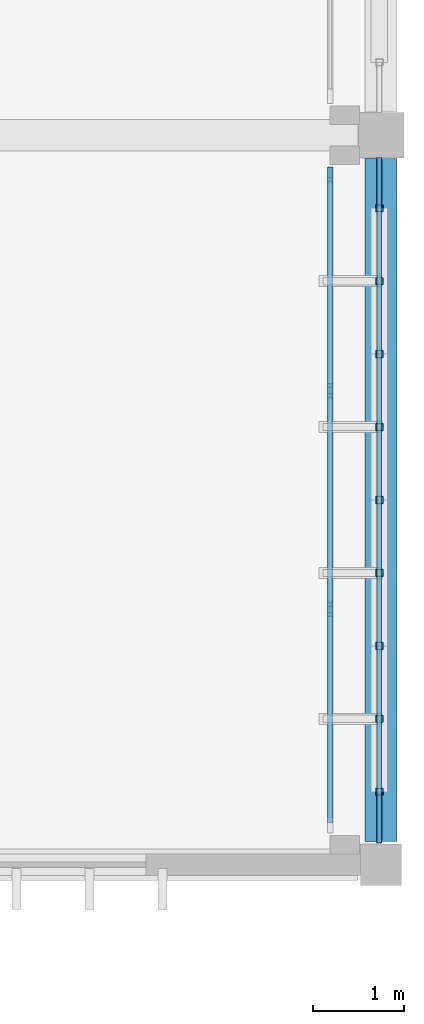
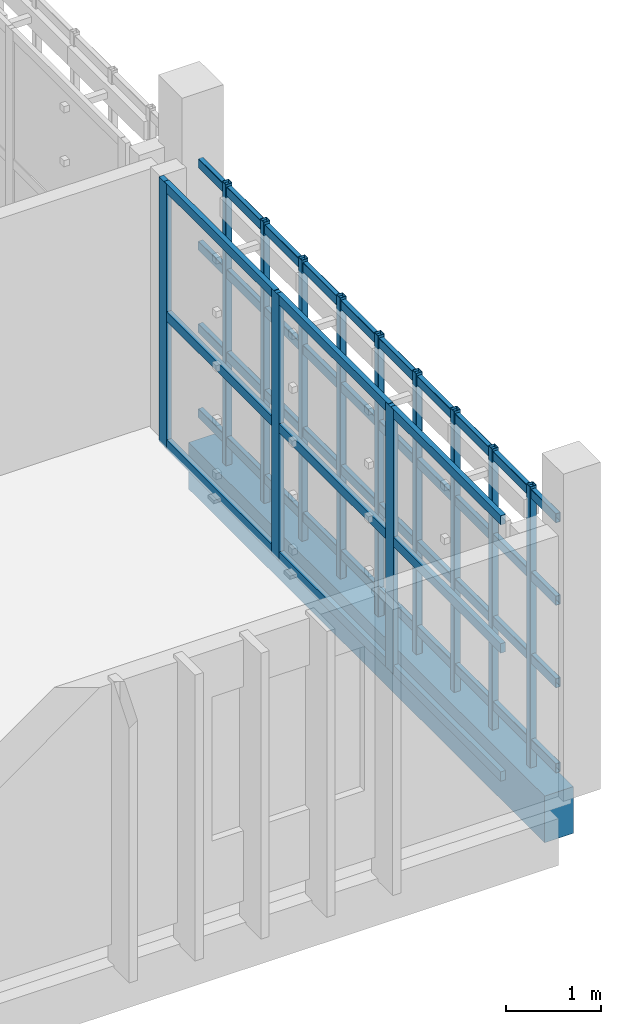
# One storey, part 20 of 48: 25 members, 1 beam, 1 element without a shape of its own.
"""IFC4 building model written with IfcOpenShell, lengths in metres."""

from ifc_helpers import new_model, si_unit, direction, frame, origin, origin_2d, place, context, subcontext, project, spatial, rectangle, hollow_rectangle, extrude, material, layer, layer_set, material_profile, profile_set, type_object, element, aggregate, save


model = new_model("IFC4")

# Units and contexts
model_context = context("Model", 3, precision=1e-05, world=origin(), true_north=direction((0.0, 1.0)))
body_context = subcontext(model_context, "Body", "Model", "MODEL_VIEW")
ifc_project = project(units=[si_unit("LENGTHUNIT", "METRE"), si_unit("AREAUNIT", "SQUARE_METRE"), si_unit("VOLUMEUNIT", "CUBIC_METRE"), si_unit("PLANEANGLEUNIT", "RADIAN"), si_unit("MASSUNIT", "GRAM", prefix="KILO")], contexts=[model_context])

# Site, building, storey
site_placement = place(None, origin())
site = spatial("IfcSite", under=ifc_project, at=site_placement, CompositionType="ELEMENT")
building_placement = place(site_placement, origin())
building = spatial("IfcBuilding", under=site, at=building_placement, Name="Jelvoka-Kovrelna Polytechnic", CompositionType="ELEMENT")
storey_placement = place(building_placement, frame((0.0, 0.0, 22.199951171875)))
storey = spatial("IfcBuildingStorey", under=building, at=storey_placement, Name="L06", CompositionType="ELEMENT", Elevation=22.199951171875)

# Beam
ifc_material_1 = material(Name="Concrete C35/45", Category="concrete")
ifc_material_profile_1 = material_profile(ifc_material_1, rectangle(XDim=0.35009765625, YDim=0.60009765625, at=origin_2d()), Name="RC 350x600")
ifc_profile_set_1 = profile_set([ifc_material_profile_1], Name="Concrete C35/45")
beam_type = type_object("IfcBeamType", Name="Beam_RC_350x600", PredefinedType="BEAM", material=ifc_profile_set_1)
beam_placement = place(storey_placement, frame((200.0, 32.2548828125, -0.5400390625), z_axis=(0.0, 1.0, 0.0), x_axis=(-1.0, 0.0, 0.0)))
element("IfcBeam", 1, at=beam_placement, inside=storey, type_object=beam_type, Name="L06 beam 1696", PredefinedType="BEAM", context=body_context, shape_type="SweptSolid", body=[
    extrude(rectangle(XDim=0.35009765625, YDim=0.60009765625, at=origin_2d()), origin(), (0.0, 0.0, 1.0), 7.490234375),
])

# Members
ifc_material_2 = material(Name="Structural steel S355J2H", Category="steel")
ifc_material_profile_2 = material_profile(ifc_material_2, hollow_rectangle(XDim=0.06005859375, YDim=0.1201171875, WallThickness=0.0048828125, InnerFilletRadius=0.0048828125, OuterFilletRadius=0.007568359375, at=origin_2d()), Name="120x60x5.0 RHS")
ifc_profile_set_2 = profile_set([ifc_material_profile_2], Name="Structural steel S355J2H")
member_type_1 = type_object("IfcMemberType", Name="Member_Strut_RHS120", PredefinedType="STRUT", material=ifc_profile_set_2)
for number, where, z_axis, x_axis, name in (
    (2, (199.97998046875, 32.239990234375, 0.080078125), (0.0, 1.0, 0.0), (-1.0, 0.0, 0.0), "L06 terracotta screen horizontal strut 0560"),
    (3, (199.97998046875, 32.239990234375, 1.17138671875), (0.0, 1.0, 0.0), (-1.0, 0.0, 0.0), "L06 terracotta screen horizontal strut 0561"),
    (4, (199.97998046875, 32.239990234375, 2.230712890625), (0.0, 1.0, 0.0), (-1.0, 0.0, 0.0), "L06 terracotta screen horizontal strut 0562"),
    (5, (199.97998046875, 32.239990234375, 3.2900390625), (0.0, 1.0, 0.0), (-1.0, 0.0, 0.0), "L06 terracotta screen horizontal strut 0563"),
):
    element("IfcMember", number, at=place(storey_placement, frame(where, z_axis=z_axis, x_axis=x_axis)), inside=storey, type_object=member_type_1, Name=name, PredefinedType="STRUT", context=body_context, shape_type="SweptSolid", body=[
        extrude(hollow_rectangle(XDim=0.06005859375, YDim=0.1201171875, WallThickness=0.0048828125, InnerFilletRadius=0.0048828125, OuterFilletRadius=0.007568359375, at=origin_2d()), origin(), (0.0, 0.0, 1.0), 7.52001953125),
    ])
ifc_material_3 = material(Name="Structural steel S355J2H", Category="steel")
ifc_material_profile_3 = material_profile(ifc_material_3, hollow_rectangle(XDim=0.080078125, YDim=0.080078125, WallThickness=0.0048828125, InnerFilletRadius=0.0048828125, OuterFilletRadius=0.007568359375, at=origin_2d()), Name="80x80x5.0 SHS")
ifc_profile_set_3 = profile_set([ifc_material_profile_3], Name="Structural steel S355J2H")
member_type_2 = type_object("IfcMemberType", Name="Member_Strut_SHS80", PredefinedType="STRUT", material=ifc_profile_set_3)
for number, where, z_axis, x_axis, name in (
    (6, (199.97998046875, 32.800048828125, -0.22998046875), (0.0, 0.0, 1.0), (1.0, 0.0, 0.0), "L06 terracotta lattice vertical rib 0564"),
    (7, (199.97998046875, 33.60009765625, -0.22998046875), (0.0, 0.0, 1.0), (1.0, 0.0, 0.0), "L06 terracotta lattice vertical rib 0565"),
    (8, (199.97998046875, 34.39990234375, -0.22998046875), (0.0, 0.0, 1.0), (1.0, 0.0, 0.0), "L06 terracotta lattice vertical rib 0566"),
    (9, (199.97998046875, 35.199951171875, -0.22998046875), (0.0, 0.0, 1.0), (1.0, 0.0, 0.0), "L06 terracotta lattice vertical rib 0567"),
    (10, (199.97998046875, 36.0, -0.22998046875), (0.0, 0.0, 1.0), (1.0, 0.0, 0.0), "L06 terracotta lattice vertical rib 0568"),
    (11, (199.97998046875, 36.800048828125, -0.22998046875), (0.0, 0.0, 1.0), (1.0, 0.0, 0.0), "L06 terracotta lattice vertical rib 0569"),
    (12, (199.97998046875, 37.60009765625, -0.22998046875), (0.0, 0.0, 1.0), (1.0, 0.0, 0.0), "L06 terracotta lattice vertical rib 0570"),
    (13, (199.97998046875, 38.39990234375, -0.22998046875), (0.0, 0.0, 1.0), (1.0, 0.0, 0.0), "L06 terracotta lattice vertical rib 0571"),
    (14, (199.97998046875, 39.199951171875, -0.22998046875), (0.0, 0.0, 1.0), (1.0, 0.0, 0.0), "L06 terracotta lattice vertical rib 0572"),
):
    element("IfcMember", number, at=place(storey_placement, frame(where, z_axis=z_axis, x_axis=x_axis)), inside=storey, type_object=member_type_2, Name=name, PredefinedType="STRUT", context=body_context, shape_type="SweptSolid", body=[
        extrude(hollow_rectangle(XDim=0.080078125, YDim=0.080078125, WallThickness=0.0048828125, InnerFilletRadius=0.0048828125, OuterFilletRadius=0.007568359375, at=origin_2d()), origin(), (0.0, 0.0, 1.0), 3.610107421875),
    ])

# Curtain wall, members
ifc_material_4 = material(Name="Anodised aluminium 6063-T6", Category="aluminium")
ifc_layer = layer(ifc_material_4, 0.159912109375)
ifc_layer_set = layer_set([ifc_layer], Name="Anodised aluminium 6063-T6")
curtain_wall_type = type_object("IfcCurtainWallType", Name="CW_Recessed_A", PredefinedType="NOTDEFINED", material=ifc_layer_set)
curtain_wall_placement = place(storey_placement, origin())
curtain_wall = element("IfcCurtainWall", 15, at=curtain_wall_placement, inside=storey, type_object=curtain_wall_type, Name="L06 glazed curtain wall 076", PredefinedType="NOTDEFINED")
ifc_material_5 = material(Name="Anodised aluminium 6063-T6", Category="aluminium")
ifc_material_profile_4 = material_profile(ifc_material_5, rectangle(XDim=0.06005859375, YDim=0.159912109375, at=origin_2d()), Name="ALU 60x160")
ifc_profile_set_4 = profile_set([ifc_material_profile_4], Name="Anodised aluminium 6063-T6")
member_type_3 = type_object("IfcMemberType", Name="Mullion_M-01", PredefinedType="MULLION", material=ifc_profile_set_4)
member_1_placement = place(storey_placement, frame((199.43994140625, 39.570068359375, -0.02490234375), z_axis=(0.0, 0.0, 1.0), x_axis=(1.0, 0.0, 0.0)))
member_1 = element("IfcMember", 16, at=member_1_placement, type_object=member_type_3, Name="CW-01 mullion 1", PredefinedType="MULLION", context=body_context, shape_type="SweptSolid", body=[
    extrude(rectangle(XDim=0.06005859375, YDim=0.159912109375, at=origin_2d()), origin(), (0.0, 0.0, 1.0), 3.400146484375),
])
member_2_placement = place(storey_placement, frame((199.43994140625, 37.199951171875, -0.02490234375), z_axis=(0.0, 0.0, 1.0), x_axis=(1.0, 0.0, 0.0)))
member_2 = element("IfcMember", 17, at=member_2_placement, type_object=member_type_3, Name="CW-01 mullion 2", PredefinedType="MULLION", context=body_context, shape_type="SweptSolid", body=[
    extrude(rectangle(XDim=0.06005859375, YDim=0.159912109375, at=origin_2d()), origin(), (0.0, 0.0, 1.0), 3.400146484375),
])
member_3_placement = place(storey_placement, frame((199.43994140625, 34.800048828125, -0.02490234375), z_axis=(0.0, 0.0, 1.0), x_axis=(1.0, 0.0, 0.0)))
member_3 = element("IfcMember", 18, at=member_3_placement, type_object=member_type_3, Name="CW-01 mullion 3", PredefinedType="MULLION", context=body_context, shape_type="SweptSolid", body=[
    extrude(rectangle(XDim=0.06005859375, YDim=0.159912109375, at=origin_2d()), origin(), (0.0, 0.0, 1.0), 3.400146484375),
])
ifc_material_6 = material(Name="Anodised aluminium 6063-T6", Category="aluminium")
ifc_material_profile_5 = material_profile(ifc_material_6, rectangle(XDim=0.06005859375, YDim=0.1201171875, at=origin_2d()), Name="ALU 60x120")
ifc_profile_set_5 = profile_set([ifc_material_profile_5], Name="Anodised aluminium 6063-T6")
member_type_4 = type_object("IfcMemberType", Name="Transom_T-01", PredefinedType="USERDEFINED", material=ifc_profile_set_5)
member_4_placement = place(storey_placement, frame((199.43994140625, 39.5400390625, 0.030029296875), z_axis=(0.0, -1.0, 0.0), x_axis=(1.0, 0.0, 0.0)))
member_4 = element("IfcMember", 19, at=member_4_placement, type_object=member_type_4, Name="CW-01 transom 1.1", ObjectType="TRANSOM", PredefinedType="USERDEFINED", context=body_context, shape_type="SweptSolid", body=[
    extrude(rectangle(XDim=0.06005859375, YDim=0.1201171875, at=origin_2d()), origin(), (0.0, 0.0, 1.0), 2.31005859375),
])
member_5_placement = place(storey_placement, frame((199.43994140625, 39.5400390625, 1.675048828125), z_axis=(0.0, -1.0, 0.0), x_axis=(1.0, 0.0, 0.0)))
member_5 = element("IfcMember", 20, at=member_5_placement, type_object=member_type_4, Name="CW-01 transom 1.2", ObjectType="TRANSOM", PredefinedType="USERDEFINED", context=body_context, shape_type="SweptSolid", body=[
    extrude(rectangle(XDim=0.06005859375, YDim=0.1201171875, at=origin_2d()), origin(), (0.0, 0.0, 1.0), 2.31005859375),
])
member_6_placement = place(storey_placement, frame((199.43994140625, 39.5400390625, 3.320068359375), z_axis=(0.0, -1.0, 0.0), x_axis=(1.0, 0.0, 0.0)))
member_6 = element("IfcMember", 21, at=member_6_placement, type_object=member_type_4, Name="CW-01 transom 1.3", ObjectType="TRANSOM", PredefinedType="USERDEFINED", context=body_context, shape_type="SweptSolid", body=[
    extrude(rectangle(XDim=0.06005859375, YDim=0.1201171875, at=origin_2d()), origin(), (0.0, 0.0, 1.0), 2.31005859375),
])
member_7_placement = place(storey_placement, frame((199.43994140625, 37.169921875, 0.030029296875), z_axis=(0.0, -1.0, 0.0), x_axis=(1.0, 0.0, 0.0)))
member_7 = element("IfcMember", 22, at=member_7_placement, type_object=member_type_4, Name="CW-01 transom 2.1", ObjectType="TRANSOM", PredefinedType="USERDEFINED", context=body_context, shape_type="SweptSolid", body=[
    extrude(rectangle(XDim=0.06005859375, YDim=0.1201171875, at=origin_2d()), origin(), (0.0, 0.0, 1.0), 2.33984375),
])
member_8_placement = place(storey_placement, frame((199.43994140625, 37.169921875, 1.675048828125), z_axis=(0.0, -1.0, 0.0), x_axis=(1.0, 0.0, 0.0)))
member_8 = element("IfcMember", 23, at=member_8_placement, type_object=member_type_4, Name="CW-01 transom 2.2", ObjectType="TRANSOM", PredefinedType="USERDEFINED", context=body_context, shape_type="SweptSolid", body=[
    extrude(rectangle(XDim=0.06005859375, YDim=0.1201171875, at=origin_2d()), origin(), (0.0, 0.0, 1.0), 2.33984375),
])
member_9_placement = place(storey_placement, frame((199.43994140625, 37.169921875, 3.320068359375), z_axis=(0.0, -1.0, 0.0), x_axis=(1.0, 0.0, 0.0)))
member_9 = element("IfcMember", 24, at=member_9_placement, type_object=member_type_4, Name="CW-01 transom 2.3", ObjectType="TRANSOM", PredefinedType="USERDEFINED", context=body_context, shape_type="SweptSolid", body=[
    extrude(rectangle(XDim=0.06005859375, YDim=0.1201171875, at=origin_2d()), origin(), (0.0, 0.0, 1.0), 2.33984375),
])
member_10_placement = place(storey_placement, frame((199.43994140625, 34.77001953125, 0.030029296875), z_axis=(0.0, -1.0, 0.0), x_axis=(1.0, 0.0, 0.0)))
member_10 = element("IfcMember", 25, at=member_10_placement, type_object=member_type_4, Name="CW-01 transom 3.1", ObjectType="TRANSOM", PredefinedType="USERDEFINED", context=body_context, shape_type="SweptSolid", body=[
    extrude(rectangle(XDim=0.06005859375, YDim=0.1201171875, at=origin_2d()), origin(), (0.0, 0.0, 1.0), 2.31005859375),
])
member_11_placement = place(storey_placement, frame((199.43994140625, 34.77001953125, 1.675048828125), z_axis=(0.0, -1.0, 0.0), x_axis=(1.0, 0.0, 0.0)))
member_11 = element("IfcMember", 26, at=member_11_placement, type_object=member_type_4, Name="CW-01 transom 3.2", ObjectType="TRANSOM", PredefinedType="USERDEFINED", context=body_context, shape_type="SweptSolid", body=[
    extrude(rectangle(XDim=0.06005859375, YDim=0.1201171875, at=origin_2d()), origin(), (0.0, 0.0, 1.0), 2.31005859375),
])
member_12_placement = place(storey_placement, frame((199.43994140625, 34.77001953125, 3.320068359375), z_axis=(0.0, -1.0, 0.0), x_axis=(1.0, 0.0, 0.0)))
member_12 = element("IfcMember", 27, at=member_12_placement, type_object=member_type_4, Name="CW-01 transom 3.3", ObjectType="TRANSOM", PredefinedType="USERDEFINED", context=body_context, shape_type="SweptSolid", body=[
    extrude(rectangle(XDim=0.06005859375, YDim=0.1201171875, at=origin_2d()), origin(), (0.0, 0.0, 1.0), 2.31005859375),
])
aggregate(curtain_wall, [member_1, member_2, member_3, member_4, member_5, member_6, member_7, member_8, member_9, member_10, member_11, member_12])

save(model, "model.ifc")
